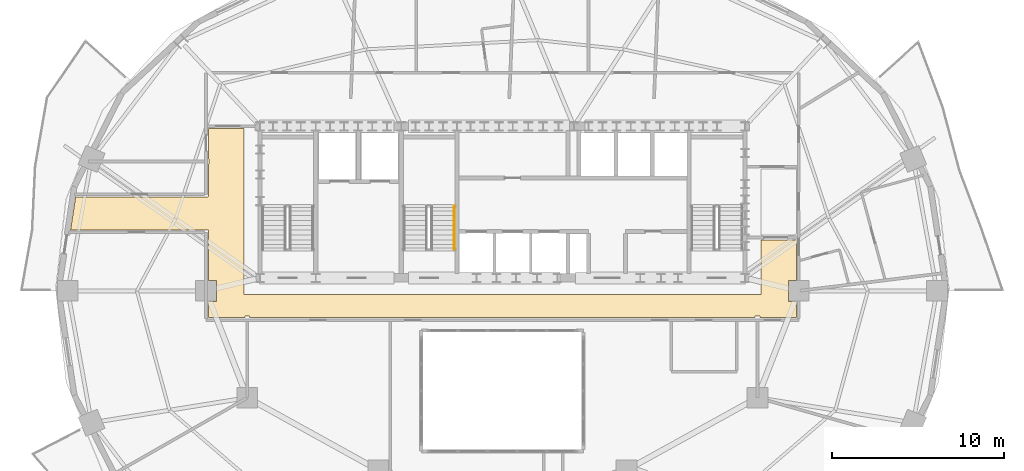
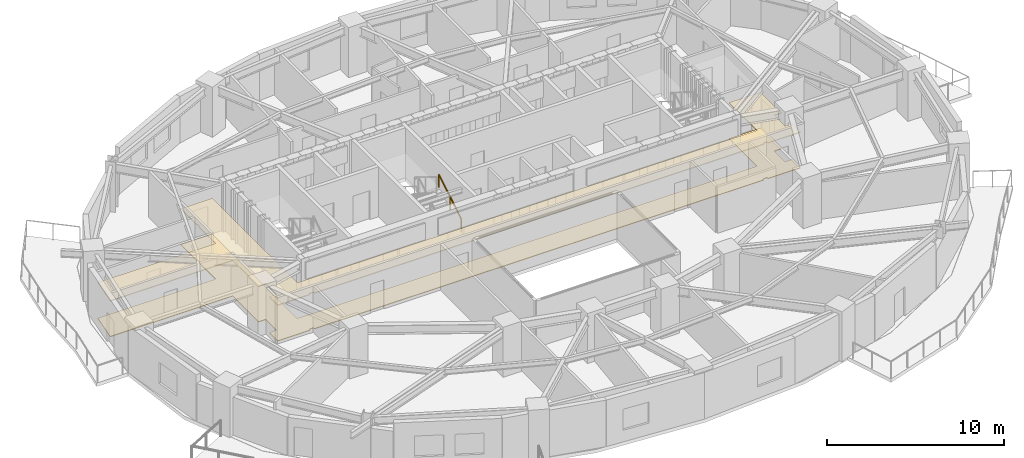
# One storey, part 11 of 13: 2 coverings, 1 railing.
"""IFC4 building model written with IfcOpenShell, lengths in metres."""

from ifc_helpers import new_model, si_unit, direction, frame, origin, origin_2d, place, context, subcontext, project, spatial, polyline, rectangle, outline, extrude, material, layer, layer_set, type_object, element, save


model = new_model("IFC4")

# Units and contexts
model_context = context("Model", 3, precision=1e-05, world=origin(), true_north=direction((0.0, 1.0)))
body_context = subcontext(model_context, "Body", "Model", "MODEL_VIEW")
ifc_project = project(units=[si_unit("LENGTHUNIT", "METRE"), si_unit("AREAUNIT", "SQUARE_METRE"), si_unit("VOLUMEUNIT", "CUBIC_METRE"), si_unit("PLANEANGLEUNIT", "RADIAN"), si_unit("MASSUNIT", "GRAM", prefix="KILO")], contexts=[model_context])

# Site, building, storey
site_placement = place(None, origin())
site = spatial("IfcSite", under=ifc_project, at=site_placement, CompositionType="ELEMENT")
building_placement = place(site_placement, origin())
building = spatial("IfcBuilding", under=site, at=building_placement, Name="Haldorwick Loom Tower", CompositionType="ELEMENT")
storey_placement = place(building_placement, frame((0.0, 0.0, 139.10009765625)))
storey = spatial("IfcBuildingStorey", under=building, at=storey_placement, Name="L37", CompositionType="ELEMENT", Elevation=139.10009765625)

# Coverings
ifc_material_1 = material(Name="Mineral Fibre Acoustic Ceiling Tile")
ifc_layer_1 = layer(ifc_material_1, 0.054931640625, Name="Mineral Fibre Acoustic Ceiling Tile")
ifc_layer_set_1 = layer_set([ifc_layer_1], Name="Mineral Fibre Acoustic Ceiling Tile")
covering_type_1 = type_object("IfcCoveringType", Name="ARC-COV-CEIL2", PredefinedType="CEILING", material=ifc_layer_set_1)
covering_1_placement = place(storey_placement, frame((0.0, 0.0, 2.4580078125)))
element("IfcCovering", 1, at=covering_1_placement, inside=storey, type_object=covering_type_1, Name="L37 Acoustic Suspended Ceiling 1", PredefinedType="CEILING", context=body_context, shape_type="SweptSolid", body=[
    extrude(outline(polyline([(10.948974609375, 29.5400390625), (18.919921875, 29.5400390625), (18.922119140625, 29.539794921875), (18.923828125, 29.53955078125), (18.92578125, 29.5390625), (18.927734375, 29.53857421875), (18.929443359375, 29.53759765625), (18.93115234375, 29.53662109375), (18.9326171875, 29.535400390625), (18.93408203125, 29.5341796875), (18.935546875, 29.53271484375), (18.9365234375, 29.531005859375), (18.9375, 29.529296875), (18.9384765625, 29.527587890625), (18.939208984375, 29.52587890625), (18.939697265625, 29.52392578125), (18.93994140625, 29.52197265625), (18.93994140625, 29.52001953125), (18.93994140625, 26.60791015625), (19.407958984375, 26.60791015625), (19.407958984375, 25.39208984375), (18.93994140625, 25.39208984375), (18.93994140625, 24.43994140625), (21.06005859375, 24.43994140625), (21.06005859375, 24.52001953125), (21.06005859375, 24.52197265625), (21.060302734375, 24.52392578125), (21.060791015625, 24.52587890625), (21.0615234375, 24.527587890625), (21.0625, 24.529296875), (21.0634765625, 24.531005859375), (21.064453125, 24.53271484375), (21.06591796875, 24.5341796875), (21.0673828125, 24.535400390625), (21.06884765625, 24.53662109375), (21.070556640625, 24.53759765625), (21.072265625, 24.53857421875), (21.07421875, 24.5390625), (21.076171875, 24.53955078125), (21.077880859375, 24.539794921875), (21.080078125, 24.5400390625), (21.320068359375, 24.5400390625), (21.322021484375, 24.539794921875), (21.323974609375, 24.53955078125), (21.32568359375, 24.5390625), (21.32763671875, 24.53857421875), (21.329345703125, 24.53759765625), (21.3310546875, 24.53662109375), (21.332763671875, 24.535400390625), (21.333984375, 24.5341796875), (21.33544921875, 24.53271484375), (21.336669921875, 24.531005859375), (21.337646484375, 24.529296875), (21.33837890625, 24.527587890625), (21.339111328125, 24.52587890625), (21.339599609375, 24.52392578125), (21.33984375, 24.52197265625), (21.340087890625, 24.52001953125), (21.340087890625, 24.43994140625), (50.659912109375, 24.43994140625), (50.659912109375, 24.52001953125), (50.66015625, 24.52197265625), (50.660400390625, 24.52392578125), (50.660888671875, 24.52587890625), (50.66162109375, 24.527587890625), (50.662353515625, 24.529296875), (50.663330078125, 24.531005859375), (50.66455078125, 24.53271484375), (50.666015625, 24.5341796875), (50.667236328125, 24.535400390625), (50.6689453125, 24.53662109375), (50.670654296875, 24.53759765625), (50.67236328125, 24.53857421875), (50.67431640625, 24.5390625), (50.676025390625, 24.53955078125), (50.677978515625, 24.539794921875), (50.679931640625, 24.5400390625), (50.919921875, 24.5400390625), (50.922119140625, 24.539794921875), (50.923828125, 24.53955078125), (50.92578125, 24.5390625), (50.927734375, 24.53857421875), (50.929443359375, 24.53759765625), (50.93115234375, 24.53662109375), (50.9326171875, 24.535400390625), (50.93408203125, 24.5341796875), (50.935546875, 24.53271484375), (50.9365234375, 24.531005859375), (50.9375, 24.529296875), (50.9384765625, 24.527587890625), (50.939208984375, 24.52587890625), (50.939697265625, 24.52392578125), (50.93994140625, 24.52197265625), (50.93994140625, 24.52001953125), (50.93994140625, 24.43994140625), (53.06005859375, 24.43994140625), (53.06005859375, 25.39208984375), (52.592041015625, 25.39208984375), (52.592041015625, 26.60791015625), (53.06005859375, 26.60791015625), (53.06005859375, 28.9599609375), (51.0, 28.9599609375), (51.0, 25.800048828125), (21.0, 25.800048828125), (21.0, 35.409912109375), (18.93994140625, 35.409912109375), (18.93994140625, 33.639892578125), (18.969970703125, 33.639892578125), (18.971923828125, 33.639892578125), (18.973876953125, 33.6396484375), (18.975830078125, 33.63916015625), (18.977783203125, 33.638427734375), (18.9794921875, 33.6376953125), (18.981201171875, 33.63671875), (18.982666015625, 33.635498046875), (18.984130859375, 33.634033203125), (18.985595703125, 33.6328125), (18.986572265625, 33.631103515625), (18.987548828125, 33.62939453125), (18.988525390625, 33.627685546875), (18.989013671875, 33.625732421875), (18.989501953125, 33.623779296875), (18.989990234375, 33.6220703125), (18.989990234375, 33.6201171875), (18.989990234375, 33.3798828125), (18.989990234375, 33.3779296875), (18.989501953125, 33.376220703125), (18.989013671875, 33.374267578125), (18.988525390625, 33.372314453125), (18.987548828125, 33.37060546875), (18.986572265625, 33.368896484375), (18.985595703125, 33.3671875), (18.984130859375, 33.365966796875), (18.982666015625, 33.364501953125), (18.981201171875, 33.36328125), (18.9794921875, 33.3623046875), (18.977783203125, 33.361572265625), (18.975830078125, 33.36083984375), (18.973876953125, 33.3603515625), (18.971923828125, 33.360107421875), (18.969970703125, 33.360107421875), (18.93994140625, 33.360107421875), (18.93994140625, 31.47998046875), (18.93994140625, 31.47802734375), (18.939697265625, 31.47607421875), (18.939208984375, 31.47412109375), (18.9384765625, 31.472412109375), (18.9375, 31.470703125), (18.9365234375, 31.468994140625), (18.935546875, 31.46728515625), (18.93408203125, 31.4658203125), (18.9326171875, 31.464599609375), (18.93115234375, 31.46337890625), (18.929443359375, 31.46240234375), (18.927734375, 31.46142578125), (18.92578125, 31.4609375), (18.923828125, 31.46044921875), (18.922119140625, 31.460205078125), (18.919921875, 31.4599609375), (11.241455078125, 31.4599609375), (10.948974609375, 29.5400390625)])), origin(), (0.0, 0.0, 1.0), 0.054931640625),
])
ifc_material_2 = material(Name="Polished Aggregate Terrazzo Finish")
ifc_layer_2 = layer(ifc_material_2, 0.044921875, Name="Polished Aggregate Terrazzo Finish")
ifc_layer_set_2 = layer_set([ifc_layer_2], Name="Polished Aggregate Terrazzo Finish")
covering_type_2 = type_object("IfcCoveringType", Name="ARC-COV-FLOOR2", PredefinedType="FLOORING", material=ifc_layer_set_2)
covering_2_placement = place(storey_placement, origin())
element("IfcCovering", 2, at=covering_2_placement, inside=storey, type_object=covering_type_2, Name="L37 Floor Finish 1", PredefinedType="FLOORING", context=body_context, shape_type="SweptSolid", body=[
    extrude(outline(polyline([(10.948974609375, 29.5400390625), (18.919921875, 29.5400390625), (18.922119140625, 29.539794921875), (18.923828125, 29.53955078125), (18.92578125, 29.5390625), (18.927734375, 29.53857421875), (18.929443359375, 29.53759765625), (18.93115234375, 29.53662109375), (18.9326171875, 29.535400390625), (18.93408203125, 29.5341796875), (18.935546875, 29.53271484375), (18.9365234375, 29.531005859375), (18.9375, 29.529296875), (18.9384765625, 29.527587890625), (18.939208984375, 29.52587890625), (18.939697265625, 29.52392578125), (18.93994140625, 29.52197265625), (18.93994140625, 29.52001953125), (18.93994140625, 26.60791015625), (19.407958984375, 26.60791015625), (19.407958984375, 25.39208984375), (18.93994140625, 25.39208984375), (18.93994140625, 24.43994140625), (21.06005859375, 24.43994140625), (21.06005859375, 24.52001953125), (21.06005859375, 24.52197265625), (21.060302734375, 24.52392578125), (21.060791015625, 24.52587890625), (21.0615234375, 24.527587890625), (21.0625, 24.529296875), (21.0634765625, 24.531005859375), (21.064453125, 24.53271484375), (21.06591796875, 24.5341796875), (21.0673828125, 24.535400390625), (21.06884765625, 24.53662109375), (21.070556640625, 24.53759765625), (21.072265625, 24.53857421875), (21.07421875, 24.5390625), (21.076171875, 24.53955078125), (21.077880859375, 24.539794921875), (21.080078125, 24.5400390625), (21.320068359375, 24.5400390625), (21.322021484375, 24.539794921875), (21.323974609375, 24.53955078125), (21.32568359375, 24.5390625), (21.32763671875, 24.53857421875), (21.329345703125, 24.53759765625), (21.3310546875, 24.53662109375), (21.332763671875, 24.535400390625), (21.333984375, 24.5341796875), (21.33544921875, 24.53271484375), (21.336669921875, 24.531005859375), (21.337646484375, 24.529296875), (21.33837890625, 24.527587890625), (21.339111328125, 24.52587890625), (21.339599609375, 24.52392578125), (21.33984375, 24.52197265625), (21.340087890625, 24.52001953125), (21.340087890625, 24.43994140625), (50.659912109375, 24.43994140625), (50.659912109375, 24.52001953125), (50.66015625, 24.52197265625), (50.660400390625, 24.52392578125), (50.660888671875, 24.52587890625), (50.66162109375, 24.527587890625), (50.662353515625, 24.529296875), (50.663330078125, 24.531005859375), (50.66455078125, 24.53271484375), (50.666015625, 24.5341796875), (50.667236328125, 24.535400390625), (50.6689453125, 24.53662109375), (50.670654296875, 24.53759765625), (50.67236328125, 24.53857421875), (50.67431640625, 24.5390625), (50.676025390625, 24.53955078125), (50.677978515625, 24.539794921875), (50.679931640625, 24.5400390625), (50.919921875, 24.5400390625), (50.922119140625, 24.539794921875), (50.923828125, 24.53955078125), (50.92578125, 24.5390625), (50.927734375, 24.53857421875), (50.929443359375, 24.53759765625), (50.93115234375, 24.53662109375), (50.9326171875, 24.535400390625), (50.93408203125, 24.5341796875), (50.935546875, 24.53271484375), (50.9365234375, 24.531005859375), (50.9375, 24.529296875), (50.9384765625, 24.527587890625), (50.939208984375, 24.52587890625), (50.939697265625, 24.52392578125), (50.93994140625, 24.52197265625), (50.93994140625, 24.52001953125), (50.93994140625, 24.43994140625), (53.06005859375, 24.43994140625), (53.06005859375, 25.39208984375), (52.592041015625, 25.39208984375), (52.592041015625, 26.60791015625), (53.06005859375, 26.60791015625), (53.06005859375, 28.9599609375), (51.0, 28.9599609375), (51.0, 25.800048828125), (21.0, 25.800048828125), (21.0, 35.409912109375), (18.93994140625, 35.409912109375), (18.93994140625, 33.639892578125), (18.969970703125, 33.639892578125), (18.971923828125, 33.639892578125), (18.973876953125, 33.6396484375), (18.975830078125, 33.63916015625), (18.977783203125, 33.638427734375), (18.9794921875, 33.6376953125), (18.981201171875, 33.63671875), (18.982666015625, 33.635498046875), (18.984130859375, 33.634033203125), (18.985595703125, 33.6328125), (18.986572265625, 33.631103515625), (18.987548828125, 33.62939453125), (18.988525390625, 33.627685546875), (18.989013671875, 33.625732421875), (18.989501953125, 33.623779296875), (18.989990234375, 33.6220703125), (18.989990234375, 33.6201171875), (18.989990234375, 33.3798828125), (18.989990234375, 33.3779296875), (18.989501953125, 33.376220703125), (18.989013671875, 33.374267578125), (18.988525390625, 33.372314453125), (18.987548828125, 33.37060546875), (18.986572265625, 33.368896484375), (18.985595703125, 33.3671875), (18.984130859375, 33.365966796875), (18.982666015625, 33.364501953125), (18.981201171875, 33.36328125), (18.9794921875, 33.3623046875), (18.977783203125, 33.361572265625), (18.975830078125, 33.36083984375), (18.973876953125, 33.3603515625), (18.971923828125, 33.360107421875), (18.969970703125, 33.360107421875), (18.93994140625, 33.360107421875), (18.93994140625, 31.47998046875), (18.93994140625, 31.47802734375), (18.939697265625, 31.47607421875), (18.939208984375, 31.47412109375), (18.9384765625, 31.472412109375), (18.9375, 31.470703125), (18.9365234375, 31.468994140625), (18.935546875, 31.46728515625), (18.93408203125, 31.4658203125), (18.9326171875, 31.464599609375), (18.93115234375, 31.46337890625), (18.929443359375, 31.46240234375), (18.927734375, 31.46142578125), (18.92578125, 31.4609375), (18.923828125, 31.46044921875), (18.922119140625, 31.460205078125), (18.919921875, 31.4599609375), (11.241455078125, 31.4599609375), (10.948974609375, 29.5400390625)])), origin(), (0.0, 0.0, 1.0), 0.044921875),
])

# Railing
ifc_material_3 = material(Name="Steel CSA G40.21 350W", Category="steel")
railing_type = type_object("IfcRailingType", Name="ARC-RLG-HAND092", PredefinedType="HANDRAIL", material=ifc_material_3)
railing_placement = place(storey_placement, frame((33.199951171875, 28.39990234375, 0.17236328125)))
element("IfcRailing", 3, at=railing_placement, inside=storey, type_object=railing_type, Name="L37 ST-03 stair handrail 1", PredefinedType="HANDRAIL", context=body_context, shape_type="SweptSolid", body=[
    extrude(rectangle(XDim=0.048095703125, YDim=0.048095703125, at=origin_2d()), frame((0.0, 0.0, 0.8759765625), z_axis=(0.0, 0.851400495292, 0.524516154772), x_axis=(-1.0, 0.0, 0.0)), (0.0, 0.0, 1.0), 2.9599609375),
    extrude(rectangle(XDim=0.0419921875, YDim=0.0419921875, at=origin_2d()), origin(), (0.0, 0.0, 1.0), 0.851806640625),
    extrude(rectangle(XDim=0.0419921875, YDim=0.0419921875, at=origin_2d()), frame((0.0, 1.260009765625, 0.7763671875)), (0.0, 0.0, 1.0), 0.851806640625),
    extrude(rectangle(XDim=0.0419921875, YDim=0.0419921875, at=origin_2d()), frame((0.0, 2.52001953125, 1.552490234375)), (0.0, 0.0, 1.0), 0.851806640625),
])

save(model, "model.ifc")
